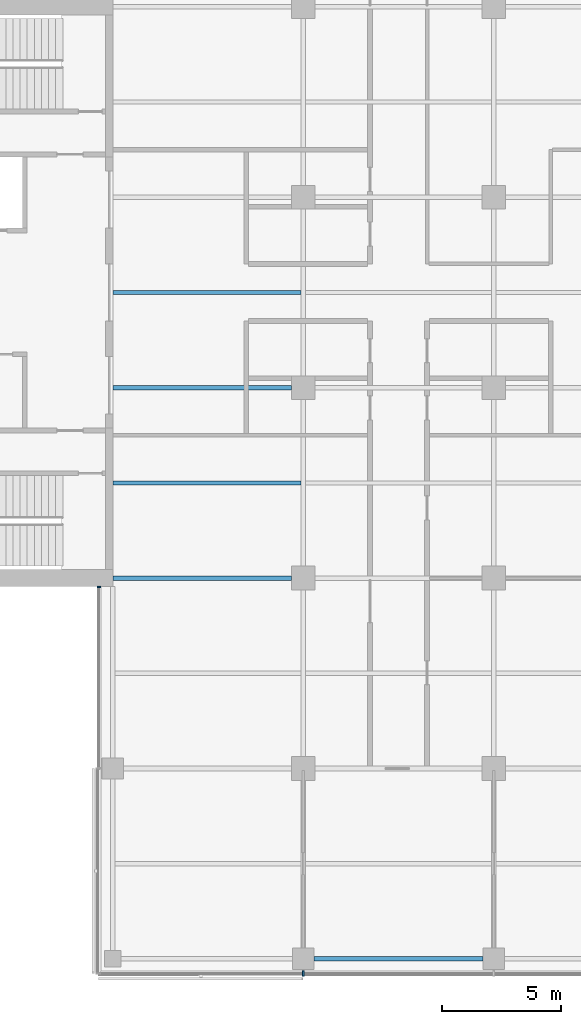
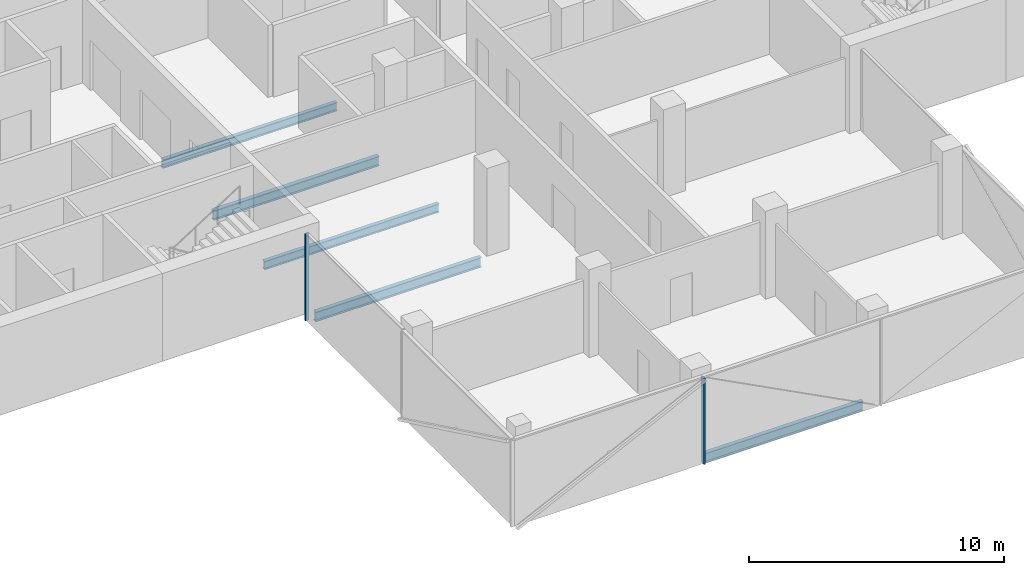
# One storey, part 4 of 22: 5 beams, 2 members, 2 elements without a shape of their own.
"""IFC4 building model written with IfcOpenShell, lengths in metres."""

import ifcopenshell
import ifcopenshell.guid

model = None  # the IFC model being written
_history = None  # IfcOwnerHistory: only IFC2X3 demands one
_inside = {}  # id of a spatial element -> (the spatial element, [elements in it])
_under = {}  # id of a project, library or spatial element -> (it, [spatial elements below it])
_declared = {}  # id of a project -> (the project, [libraries it declares])
_typed = {}  # id of a type object -> (the type object, [elements of that type])
_made_of = {}  # id of a material, layer set ... -> (it, [elements and type objects made of it])


def new_model(schema):
    """Start an empty IFC model of exactly this schema.

    Asked for "IFC4X3", IfcOpenShell would pick the latest addendum, in which some entities
    have other attributes; the version numbers below select the first issue.
    IFC2X3 requires an IfcOwnerHistory on every rooted entity: one is made here for all.
    """
    global model, _history
    if schema == "IFC4X3":
        model = ifcopenshell.file(schema_version=(4, 3, 0, 0))
    else:
        model = ifcopenshell.file(schema=schema)
    _inside.clear()
    _under.clear()
    _declared.clear()
    _typed.clear()
    _made_of.clear()
    _history = None
    if model.schema == "IFC2X3":
        org = make("IfcOrganization", Name="unknown")
        user = make(
            "IfcPersonAndOrganization",
            ThePerson=make("IfcPerson", FamilyName="unknown"),
            TheOrganization=org,
        )
        app = make(
            "IfcApplication",
            ApplicationDeveloper=org,
            Version="unknown",
            ApplicationFullName="unknown",
            ApplicationIdentifier="unknown",
        )
        _history = make(
            "IfcOwnerHistory",
            OwningUser=user,
            OwningApplication=app,
            ChangeAction="ADDED",
            CreationDate=0,
        )
    return model


def make(cls, **values):
    """One entity of the class cls with the attributes given. An attribute that is None is left unset."""
    return model.create_entity(
        cls, **{name: value for name, value in values.items() if value is not None}
    )


def rooted(cls, **values):
    """An entity with a GlobalId (a new one), such as an element, a storey or a relation."""
    return make(cls, GlobalId=ifcopenshell.guid.new(), OwnerHistory=_history, **values)


def si_unit(unit_type, name, prefix=None):
    """IfcSIUnit, for example si_unit("LENGTHUNIT", "METRE", prefix="MILLI")."""
    return make("IfcSIUnit", UnitType=unit_type, Prefix=prefix, Name=name)


def assignment(units):
    """IfcUnitAssignment: the units of a project."""
    return None if units is None else make("IfcUnitAssignment", Units=units)


def point(xyz):
    """IfcCartesianPoint."""
    return None if xyz is None else make("IfcCartesianPoint", Coordinates=xyz)


def direction(xyz):
    """IfcDirection."""
    return None if xyz is None else make("IfcDirection", DirectionRatios=xyz)


def frame(location, z_axis=None, x_axis=None):
    """IfcAxis2Placement3D, a coordinate frame: its origin and axes. An axis left out is left unset."""
    return make(
        "IfcAxis2Placement3D",
        Location=point(location),
        Axis=direction(z_axis),
        RefDirection=direction(x_axis),
    )


def frame_2d(location, x_axis=None):
    """IfcAxis2Placement2D, a coordinate frame in the plane: its origin and x axis."""
    return make(
        "IfcAxis2Placement2D", Location=point(location), RefDirection=direction(x_axis)
    )


def origin():
    """The frame at (0, 0, 0) with its axes left unset."""
    return frame((0.0, 0.0, 0.0))


def origin_2d():
    """The frame at (0, 0) in the plane with its x axis left unset."""
    return frame_2d((0.0, 0.0))


def place(relative_to, where):
    """IfcLocalPlacement: puts the frame where relative to a parent placement (None: the world)."""
    return make(
        "IfcLocalPlacement", PlacementRelTo=relative_to, RelativePlacement=where
    )


def context(
    kind, dimensions, precision=None, world=None, true_north=None, identifier=None
):
    """IfcGeometricRepresentationContext, for example the 3D "Model" context."""
    return make(
        "IfcGeometricRepresentationContext",
        ContextIdentifier=identifier,
        ContextType=kind,
        CoordinateSpaceDimension=dimensions,
        Precision=precision,
        WorldCoordinateSystem=world,
        TrueNorth=true_north,
    )


def subcontext(parent, identifier, kind, view, scale=None):
    """IfcGeometricRepresentationSubContext, for example "Body" below "Model"."""
    return make(
        "IfcGeometricRepresentationSubContext",
        ContextIdentifier=identifier,
        ContextType=kind,
        ParentContext=parent,
        TargetScale=scale,
        TargetView=view,
    )


def project(units=None, contexts=None):
    """IfcProject with its units and contexts."""
    return rooted(
        "IfcProject",
        Name="project",
        RepresentationContexts=contexts,
        UnitsInContext=assignment(units),
    )


def spatial(cls, under=None, at=None, **own):
    """A site, building, storey or space (cls), placed at a placement, below another one or the project."""
    s = rooted(cls, ObjectPlacement=at, **own)
    if under is not None:
        _under.setdefault(under.id(), (under, []))[1].append(s)
    return s


def profile(cls, at=None, kind="AREA", **sizes):
    """A parametric profile (cls). Its sizes go by their IFC names, for example OverallWidth=200.0."""
    return make(cls, ProfileType=kind, Position=at, **sizes)


def rectangle(**sizes):
    """IfcRectangleProfileDef."""
    return profile("IfcRectangleProfileDef", **sizes)


def i_section(**sizes):
    """IfcIShapeProfileDef."""
    return profile("IfcIShapeProfileDef", **sizes)


def extrude(swept, where, along, depth):
    """IfcExtrudedAreaSolid: the profile swept, set in the frame where, extruded along a direction by depth."""
    return make(
        "IfcExtrudedAreaSolid",
        SweptArea=swept,
        Position=where,
        ExtrudedDirection=direction(along),
        Depth=depth,
    )


def shape(context_of_items, identifier, shape_type, items):
    """IfcShapeRepresentation: the items that make up one representation, for example the "Body"."""
    return make(
        "IfcShapeRepresentation",
        ContextOfItems=context_of_items,
        RepresentationIdentifier=identifier,
        RepresentationType=shape_type,
        Items=items,
    )


def material(Name=None, Category=None):
    """IfcMaterial."""
    return make("IfcMaterial", Name=Name, Category=Category)


def material_profile(
    of_material, cross_section, Name=None, Category=None, Priority=None
):
    """IfcMaterialProfile: a cross section and its material."""
    return make(
        "IfcMaterialProfile",
        Name=Name,
        Material=of_material,
        Profile=cross_section,
        Priority=Priority,
        Category=Category,
    )


def profile_set(profiles, Name=None, composite=None):
    """IfcMaterialProfileSet."""
    return make(
        "IfcMaterialProfileSet",
        Name=Name,
        MaterialProfiles=profiles,
        CompositeProfile=composite,
    )


def made_of(thing, what):
    """Note that an element or type object is made of a material, layer set ...; save() writes the relation."""
    if what is not None:
        _made_of.setdefault(what.id(), (what, []))[1].append(thing)
    return thing


def type_object(cls, material=None, **own):
    """A type object (cls), such as IfcWallType, which elements share."""
    return made_of(rooted(cls, **own), material)


def element(
    cls,
    number,
    at=None,
    inside=None,
    cuts=None,
    type_object=None,
    material=None,
    context=None,
    identifier="Body",
    shape_type=None,
    held_by="IfcProductDefinitionShape",
    body=None,
    shapes=None,
    **own,
):
    """One element of the class cls, such as IfcWall. Its Tag is "e" and its number.

    at: its placement. inside: the storey or other place that contains it. cuts: it is an
    opening in that element (IfcRelVoidsElement). A single representation is given by context,
    identifier, shape_type and body (its items); several are given by shapes. held_by: the class
    of the entity that holds the representations. save() writes the other relations.
    """
    e = rooted(cls, Tag="e%d" % number, ObjectPlacement=at, **own)
    if body is not None:
        shapes = [shape(context, identifier, shape_type, body)]
    if shapes is not None:
        e.Representation = make(held_by, Representations=shapes)
    if inside is not None:
        _inside.setdefault(inside.id(), (inside, []))[1].append(e)
    if cuts is not None:
        rooted(
            "IfcRelVoidsElement", RelatingBuildingElement=cuts, RelatedOpeningElement=e
        )
    if type_object is not None:
        _typed.setdefault(type_object.id(), (type_object, []))[1].append(e)
    return made_of(e, material)


def aggregate(whole, parts):
    """IfcRelAggregates: a whole, such as a stair, and the parts it consists of."""
    return rooted("IfcRelAggregates", RelatingObject=whole, RelatedObjects=parts)


def save(model, path):
    """Write the relations noted so far, then the file.

    IfcRelAggregates (storeys below a building ...), IfcRelContainedInSpatialStructure (elements
    in a storey), IfcRelDefinesByType, IfcRelAssociatesMaterial and IfcRelDeclares: one each for
    every whole, place, type object, material and project.
    """
    for whole, parts in _under.values():
        aggregate(whole, parts)
    for where, things in _inside.values():
        rooted(
            "IfcRelContainedInSpatialStructure",
            RelatedElements=things,
            RelatingStructure=where,
        )
    for kind, things in _typed.values():
        rooted("IfcRelDefinesByType", RelatedObjects=things, RelatingType=kind)
    for what, things in _made_of.values():
        rooted("IfcRelAssociatesMaterial", RelatedObjects=things, RelatingMaterial=what)
    for by, libraries in _declared.values():
        rooted("IfcRelDeclares", RelatingContext=by, RelatedDefinitions=libraries)
    model.write(path)


model = new_model("IFC4")

# Units and contexts
model_context = context("Model", 3, precision=1e-05, world=origin(), true_north=direction((0.0, 1.0)))
body_context = subcontext(model_context, "Body", "Model", "MODEL_VIEW")
ifc_project = project(units=[si_unit("LENGTHUNIT", "METRE"), si_unit("AREAUNIT", "SQUARE_METRE"), si_unit("VOLUMEUNIT", "CUBIC_METRE"), si_unit("PLANEANGLEUNIT", "RADIAN"), si_unit("MASSUNIT", "GRAM", prefix="KILO")], contexts=[model_context])

# Site, building, storey
site_placement = place(None, origin())
site = spatial("IfcSite", under=ifc_project, at=site_placement, CompositionType="ELEMENT")
building_placement = place(site_placement, origin())
building = spatial("IfcBuilding", under=site, at=building_placement, Name="Crosswind Convention Tower", CompositionType="ELEMENT")
storey_placement = place(building_placement, frame((0.0, 0.0, 116.89990234375)))
storey = spatial("IfcBuildingStorey", under=building, at=storey_placement, Name="L23", CompositionType="ELEMENT", Elevation=116.89990234375)

# Beams
ifc_material_1 = material(Name="Steel S355", Category="steel")
ifc_material_profile_1 = material_profile(ifc_material_1, i_section(OverallWidth=0.18994140625, OverallDepth=0.45361328125, WebThickness=0.008544921875, FlangeThickness=0.0126953125, FilletRadius=0.01025390625, at=origin_2d()), Name="UB 457x191x67")
ifc_profile_set_1 = profile_set([ifc_material_profile_1], Name="Steel S355")
beam_type_1 = type_object("IfcBeamType", Name="Edge beam UB 457x191x67", PredefinedType="SPANDREL", material=ifc_profile_set_1)
beam_placement = place(storey_placement, frame((121.449951171875, 72.0, -0.526611328125), z_axis=(1.0, 0.0, 0.0), x_axis=(0.0, 1.0, 0.0)))
element("IfcBeam", 1, at=beam_placement, inside=storey, type_object=beam_type_1, Name="B16 L23 edge beam 12", PredefinedType="SPANDREL", context=body_context, shape_type="SweptSolid", body=[
    extrude(i_section(OverallWidth=0.18994140625, OverallDepth=0.45361328125, WebThickness=0.008544921875, FlangeThickness=0.0126953125, FilletRadius=0.01025390625, at=origin_2d()), origin(), (0.0, 0.0, 1.0), 7.10009765625),
])
ifc_material_profile_2 = material_profile(ifc_material_1, i_section(OverallWidth=0.19189453125, OverallDepth=0.463623046875, WebThickness=0.010498046875, FlangeThickness=0.017578125, FilletRadius=0.01025390625, at=origin_2d()), Name="UB 457x191x90")
ifc_profile_set_2 = profile_set([ifc_material_profile_2], Name="Steel S355")
beam_type_2 = type_object("IfcBeamType", Name="Girder at core wall UB 457x191x90", PredefinedType="BEAM", material=ifc_profile_set_2)
for number, where, z_axis, x_axis, name in (
    (2, (113.0, 88.0, -0.53173828125), (1.0, 0.0, 0.0), (0.0, 1.0, 0.0), "B24 L23 girder at core wall 3"),
    (3, (113.0, 96.0, -0.53173828125), (1.0, 0.0, 0.0), (0.0, 1.0, 0.0), "B24 L23 girder at core wall 4"),
):
    element("IfcBeam", number, at=place(storey_placement, frame(where, z_axis=z_axis, x_axis=x_axis)), inside=storey, type_object=beam_type_2, Name=name, PredefinedType="BEAM", context=body_context, shape_type="SweptSolid", body=[
        extrude(i_section(OverallWidth=0.19189453125, OverallDepth=0.463623046875, WebThickness=0.010498046875, FlangeThickness=0.017578125, FilletRadius=0.01025390625, at=origin_2d()), origin(), (0.0, 0.0, 1.0), 7.5),
    ])

# Curtain wall, member
ifc_material_2 = material(Name="Aluminium unitised curtain wall", Category="aluminium")
curtain_wall_type_1 = type_object("IfcCurtainWallType", Name="CORE END SLOT WALL 160", PredefinedType="USERDEFINED", material=ifc_material_2)
curtain_wall_1_placement = place(storey_placement, origin())
curtain_wall_1 = element("IfcCurtainWall", 4, at=curtain_wall_1_placement, inside=storey, type_object=curtain_wall_type_1, Name="CW6 L23 S-W.1-1 slot", ObjectType="UNITISED", PredefinedType="USERDEFINED")
ifc_material_3 = material(Name="Aluminium mullion", Category="aluminium")
ifc_material_profile_3 = material_profile(ifc_material_3, rectangle(XDim=0.159912109375, YDim=0.050048828125, at=origin_2d()), Name="AL 160X50")
ifc_profile_set_3 = profile_set([ifc_material_profile_3], Name="Aluminium mullion")
member_type_1 = type_object("IfcMemberType", Name="MULLION 50X160", PredefinedType="MULLION", material=ifc_profile_set_3)
member_1_placement = place(storey_placement, frame((112.419921875, 87.625, -0.2998046875), z_axis=(0.0, 0.0, 1.0), x_axis=(-1.0, 0.0, 0.0)))
member_1 = element("IfcMember", 5, at=member_1_placement, type_object=member_type_1, Name="CW6 mullion 1", PredefinedType="MULLION", context=body_context, shape_type="SweptSolid", body=[
    extrude(rectangle(XDim=0.159912109375, YDim=0.050048828125, at=origin_2d()), origin(), (0.0, 0.0, 1.0), 4.14990234375),
])
aggregate(curtain_wall_1, [member_1])

curtain_wall_type_2 = type_object("IfcCurtainWallType", Name="OFFICE UNITISED WALL 220", PredefinedType="USERDEFINED", material=ifc_material_2)
curtain_wall_2_placement = place(storey_placement, origin())
curtain_wall_2 = element("IfcCurtainWall", 6, at=curtain_wall_2_placement, inside=storey, type_object=curtain_wall_type_2, Name="CW3 L23 S-TIP 1", ObjectType="UNITISED", PredefinedType="USERDEFINED")
ifc_material_profile_4 = material_profile(ifc_material_3, rectangle(XDim=0.219970703125, YDim=0.070068359375, at=origin_2d()), Name="AL 220X70")
ifc_profile_set_4 = profile_set([ifc_material_profile_4], Name="Aluminium mullion")
member_type_2 = type_object("IfcMemberType", Name="MULLION 70X220", PredefinedType="MULLION", material=ifc_profile_set_4)
member_2_placement = place(storey_placement, frame((121.0, 71.389892578125, -0.2998046875), z_axis=(0.0, 0.0, 1.0), x_axis=(0.0, -1.0, 0.0)))
member_2 = element("IfcMember", 7, at=member_2_placement, type_object=member_type_2, Name="CW3 mullion 2", PredefinedType="MULLION", context=body_context, shape_type="SweptSolid", body=[
    extrude(rectangle(XDim=0.219970703125, YDim=0.070068359375, at=origin_2d()), origin(), (0.0, 0.0, 1.0), 4.1298828125),
])
aggregate(curtain_wall_2, [member_2])

# Beams
ifc_material_profile_5 = material_profile(ifc_material_1, i_section(OverallWidth=0.177734375, OverallDepth=0.406494140625, WebThickness=0.0078125, FlangeThickness=0.0126953125, FilletRadius=0.01025390625, at=origin_2d()), Name="UB 406x178x60")
ifc_profile_set_5 = profile_set([ifc_material_profile_5], Name="Steel S355")
beam_type_3 = type_object("IfcBeamType", Name="Secondary beam UB 406x178x60", PredefinedType="JOIST", material=ifc_profile_set_5)
for number, where, z_axis, x_axis, name in (
    (8, (113.0, 92.0, -0.503173828125), (1.0, 0.0, 0.0), (0.0, 1.0, 0.0), "B10 L23 secondary beam 4"),
    (9, (113.0, 100.0, -0.503173828125), (1.0, 0.0, 0.0), (0.0, 1.0, 0.0), "B10 L23 secondary beam 5"),
):
    element("IfcBeam", number, at=place(storey_placement, frame(where, z_axis=z_axis, x_axis=x_axis)), inside=storey, type_object=beam_type_3, Name=name, PredefinedType="JOIST", context=body_context, shape_type="SweptSolid", body=[
        extrude(i_section(OverallWidth=0.177734375, OverallDepth=0.406494140625, WebThickness=0.0078125, FlangeThickness=0.0126953125, FilletRadius=0.01025390625, at=origin_2d()), origin(), (0.0, 0.0, 1.0), 7.904296875),
    ])

save(model, "model.ifc")
